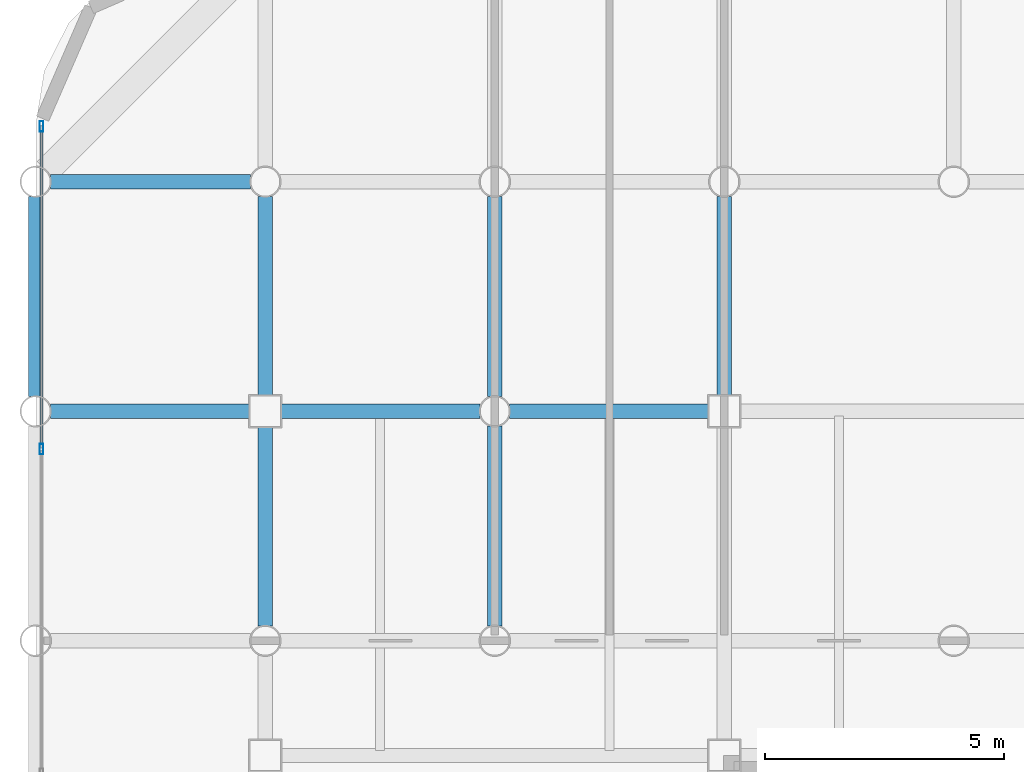
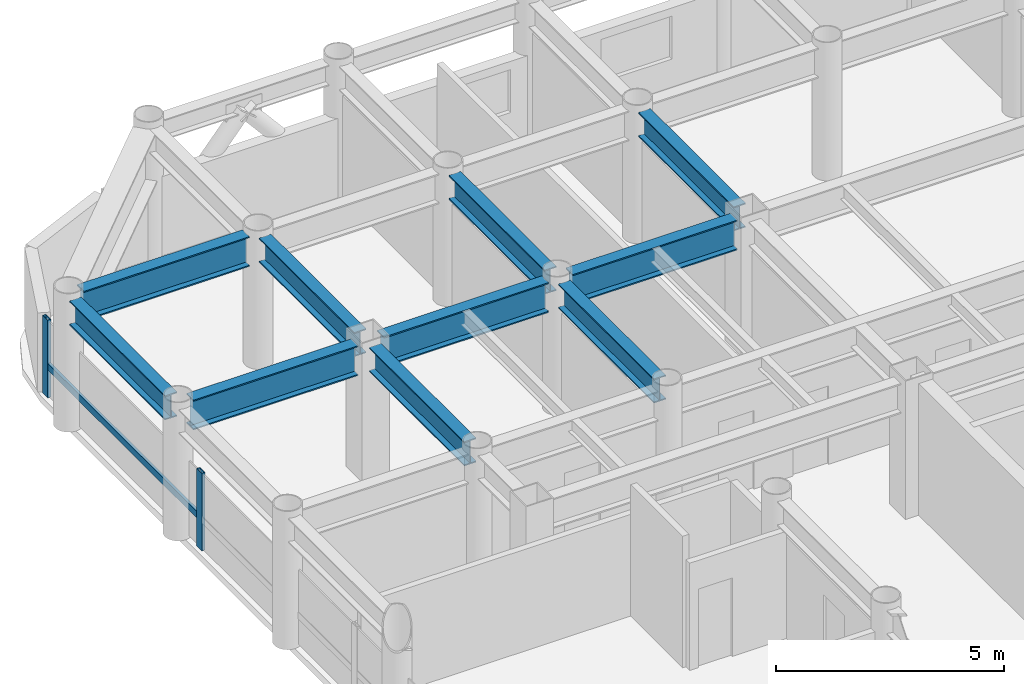
# One storey, part 10 of 22: 10 beams, 3 members, 1 element without a shape of its own.
"""IFC4 building model written with IfcOpenShell, lengths in metres."""

from ifc_helpers import new_model, si_unit, direction, frame, origin, origin_2d, place, context, subcontext, project, spatial, hollow_rectangle, i_section, extrude, material, layer, layer_set, material_profile, profile_set, type_object, element, aggregate, save


model = new_model("IFC4")

# Units and contexts
model_context = context("Model", 3, precision=1e-05, world=origin(), true_north=direction((0.0, 1.0)))
body_context = subcontext(model_context, "Body", "Model", "MODEL_VIEW")
ifc_project = project(units=[si_unit("LENGTHUNIT", "METRE"), si_unit("AREAUNIT", "SQUARE_METRE"), si_unit("VOLUMEUNIT", "CUBIC_METRE"), si_unit("PLANEANGLEUNIT", "RADIAN"), si_unit("MASSUNIT", "GRAM", prefix="KILO")], contexts=[model_context])

# Site, building, storey
site_placement = place(None, origin())
site = spatial("IfcSite", under=ifc_project, at=site_placement, CompositionType="ELEMENT")
building_placement = place(site_placement, origin())
building = spatial("IfcBuilding", under=site, at=building_placement, Name="Kallvorn Hotel Tower", CompositionType="ELEMENT")
storey_placement = place(building_placement, frame((0.0, 0.0, 102.60009765625)))
storey = spatial("IfcBuildingStorey", under=building, at=storey_placement, Name="L24", CompositionType="ELEMENT", Elevation=102.60009765625)

# Beams
ifc_material_1 = material(Name="Structural steel S355JR", Category="steel")
ifc_material_profile_1 = material_profile(ifc_material_1, i_section(OverallWidth=0.300048828125, OverallDepth=0.64990234375, WebThickness=0.01611328125, FlangeThickness=0.031005859375, at=origin_2d()), Name="HE 650 B")
ifc_profile_set_1 = profile_set([ifc_material_profile_1], Name="Structural steel S355JR")
beam_type_1 = type_object("IfcBeamType", Name="BM_HE650B", PredefinedType="BEAM", material=ifc_profile_set_1)
beam_1_placement = place(storey_placement, frame((-28.800048828125, 14.705078125, 3.19482421875), z_axis=(0.0, 1.0, 0.0), x_axis=(-1.0, 0.0, 0.0)))
element("IfcBeam", 1, at=beam_1_placement, inside=storey, type_object=beam_type_1, Name="L25 Primary Y-Girder 80", PredefinedType="BEAM", context=body_context, shape_type="SweptSolid", body=[
    extrude(i_section(OverallWidth=0.300048828125, OverallDepth=0.64990234375, WebThickness=0.01611328125, FlangeThickness=0.031005859375, at=origin_2d()), origin(), (0.0, 0.0, 1.0), 4.18994140625),
])
for number, where, z_axis, x_axis, name in (
    (2, (-24.0, 9.905029296875, 3.19482421875), (0.0, 1.0, 0.0), (-1.0, 0.0, 0.0), "L25 Primary Y-Girder 85"),
    (3, (-24.0, 14.72509765625, 3.19482421875), (0.0, 1.0, 0.0), (-1.0, 0.0, 0.0), "L25 Primary Y-Girder 86"),
):
    element("IfcBeam", number, at=place(storey_placement, frame(where, z_axis=z_axis, x_axis=x_axis)), inside=storey, type_object=beam_type_1, Name=name, PredefinedType="BEAM", context=body_context, shape_type="SweptSolid", body=[
        extrude(i_section(OverallWidth=0.300048828125, OverallDepth=0.64990234375, WebThickness=0.01611328125, FlangeThickness=0.031005859375, at=origin_2d()), origin(), (0.0, 0.0, 1.0), 4.169921875),
    ])
for number, where, z_axis, x_axis, name in (
    (4, (-19.199951171875, 9.905029296875, 3.19482421875), (0.0, 1.0, 0.0), (-1.0, 0.0, 0.0), "L25 Primary Y-Girder 94"),
    (5, (-19.199951171875, 14.705078125, 3.19482421875), (0.0, 1.0, 0.0), (-1.0, 0.0, 0.0), "L25 Primary Y-Girder 95"),
):
    element("IfcBeam", number, at=place(storey_placement, frame(where, z_axis=z_axis, x_axis=x_axis)), inside=storey, type_object=beam_type_1, Name=name, PredefinedType="BEAM", context=body_context, shape_type="SweptSolid", body=[
        extrude(i_section(OverallWidth=0.300048828125, OverallDepth=0.64990234375, WebThickness=0.01611328125, FlangeThickness=0.031005859375, at=origin_2d()), origin(), (0.0, 0.0, 1.0), 4.18994140625),
    ])
beam_2_placement = place(storey_placement, frame((-14.39990234375, 14.72509765625, 3.19482421875), z_axis=(0.0, 1.0, 0.0), x_axis=(-1.0, 0.0, 0.0)))
element("IfcBeam", 6, at=beam_2_placement, inside=storey, type_object=beam_type_1, Name="L25 Primary Y-Girder 100", PredefinedType="BEAM", context=body_context, shape_type="SweptSolid", body=[
    extrude(i_section(OverallWidth=0.300048828125, OverallDepth=0.64990234375, WebThickness=0.01611328125, FlangeThickness=0.031005859375, at=origin_2d()), origin(), (0.0, 0.0, 1.0), 4.169921875),
])
ifc_material_2 = material(Name="Structural steel S355JR", Category="steel")
ifc_material_profile_2 = material_profile(ifc_material_2, i_section(OverallWidth=0.300048828125, OverallDepth=0.800048828125, WebThickness=0.017578125, FlangeThickness=0.032958984375, at=origin_2d()), Name="HE 800 B")
ifc_profile_set_2 = profile_set([ifc_material_profile_2], Name="Structural steel S355JR")
beam_type_2 = type_object("IfcBeamType", Name="BM_HE800B", PredefinedType="BEAM", material=ifc_profile_set_2)
for number, where, z_axis, x_axis, name in (
    (7, (-28.4951171875, 14.39990234375, 3.119873046875), (1.0, 0.0, 0.0), (0.0, 1.0, 0.0), "L25 Primary X-Girder 50"),
    (8, (-23.675048828125, 14.39990234375, 3.119873046875), (1.0, 0.0, 0.0), (0.0, 1.0, 0.0), "L25 Primary X-Girder 51"),
):
    element("IfcBeam", number, at=place(storey_placement, frame(where, z_axis=z_axis, x_axis=x_axis)), inside=storey, type_object=beam_type_2, Name=name, PredefinedType="BEAM", context=body_context, shape_type="SweptSolid", body=[
        extrude(i_section(OverallWidth=0.300048828125, OverallDepth=0.800048828125, WebThickness=0.017578125, FlangeThickness=0.032958984375, at=origin_2d()), origin(), (0.0, 0.0, 1.0), 4.170166015625),
    ])
beam_3_placement = place(storey_placement, frame((-18.89501953125, 14.39990234375, 3.119873046875), z_axis=(1.0, 0.0, 0.0), x_axis=(0.0, 1.0, 0.0)))
element("IfcBeam", 9, at=beam_3_placement, inside=storey, type_object=beam_type_2, Name="L25 Primary X-Girder 52", PredefinedType="BEAM", context=body_context, shape_type="SweptSolid", body=[
    extrude(i_section(OverallWidth=0.300048828125, OverallDepth=0.800048828125, WebThickness=0.017578125, FlangeThickness=0.032958984375, at=origin_2d()), origin(), (0.0, 0.0, 1.0), 4.169921875),
])
beam_4_placement = place(storey_placement, frame((-28.4951171875, 19.199951171875, 3.119873046875), z_axis=(1.0, 0.0, 0.0), x_axis=(0.0, 1.0, 0.0)))
element("IfcBeam", 10, at=beam_4_placement, inside=storey, type_object=beam_type_2, Name="L25 Primary X-Girder 60", PredefinedType="BEAM", context=body_context, shape_type="SweptSolid", body=[
    extrude(i_section(OverallWidth=0.300048828125, OverallDepth=0.800048828125, WebThickness=0.017578125, FlangeThickness=0.032958984375, at=origin_2d()), origin(), (0.0, 0.0, 1.0), 4.190185546875),
])

# Curtain wall, members
ifc_material_3 = material(Name="Thermally broken black-anodised aluminium AA 6063-T6", Category="aluminium")
ifc_layer = layer(ifc_material_3, 0.199951171875)
ifc_layer_set = layer_set([ifc_layer], Name="CW_SYS_3_HOTEL_LOW")
curtain_wall_type = type_object("IfcCurtainWallType", Name="CW_SYS_3_HOTEL_LOW", PredefinedType="USERDEFINED", material=ifc_layer_set)
curtain_wall_placement = place(storey_placement, origin())
curtain_wall = element("IfcCurtainWall", 11, at=curtain_wall_placement, inside=storey, type_object=curtain_wall_type, Name="L24 Dark-Glass Curtain Wall CW-L24-WN", ObjectType="UNITISED CURTAIN WALL", PredefinedType="USERDEFINED")
ifc_material_4 = material(Name="Thermally broken black-anodised aluminium AA 6063-T6", Category="aluminium")
ifc_material_profile_3 = material_profile(ifc_material_4, hollow_rectangle(XDim=0.080078125, YDim=0.219970703125, WallThickness=0.0048828125, at=origin_2d()), Name="MUL 220x80")
ifc_profile_set_3 = profile_set([ifc_material_profile_3], Name="Thermally broken black-anodised aluminium AA 6063-T6")
member_type_1 = type_object("IfcMemberType", Name="CW_MULLION_220x80", PredefinedType="MULLION", material=ifc_profile_set_3)
member_1_placement = place(storey_placement, frame((-28.679931640625, 13.606689453125, 0.02001953125), z_axis=(0.0, 0.0, 1.0), x_axis=(1.0, 0.0, 0.0)))
member_1 = element("IfcMember", 12, at=member_1_placement, type_object=member_type_1, Name="CW-L24-WN Mullion 02", PredefinedType="MULLION", context=body_context, shape_type="SweptSolid", body=[
    extrude(hollow_rectangle(XDim=0.080078125, YDim=0.219970703125, WallThickness=0.0048828125, at=origin_2d()), origin(), (0.0, 0.0, 1.0), 2.079833984375),
])
member_2_placement = place(storey_placement, frame((-28.679931640625, 20.360107421875, 0.02001953125), z_axis=(0.0, 0.0, 1.0), x_axis=(1.0, 0.0, 0.0)))
member_2 = element("IfcMember", 13, at=member_2_placement, type_object=member_type_1, Name="CW-L24-WN Mullion 03", PredefinedType="MULLION", context=body_context, shape_type="SweptSolid", body=[
    extrude(hollow_rectangle(XDim=0.080078125, YDim=0.219970703125, WallThickness=0.0048828125, at=origin_2d()), origin(), (0.0, 0.0, 1.0), 2.079833984375),
])
ifc_material_5 = material(Name="Thermally broken black-anodised aluminium AA 6063-T6", Category="aluminium")
ifc_material_profile_4 = material_profile(ifc_material_5, hollow_rectangle(XDim=0.070068359375, YDim=0.179931640625, WallThickness=0.00390625, at=origin_2d()), Name="TRN 180x70")
ifc_profile_set_4 = profile_set([ifc_material_profile_4], Name="Thermally broken black-anodised aluminium AA 6063-T6")
member_type_2 = type_object("IfcMemberType", Name="CW_TRANSOM_180x70", PredefinedType="USERDEFINED", material=ifc_profile_set_4)
member_3_placement = place(storey_placement, frame((-28.679931640625, 13.646728515625, 0.849853515625), z_axis=(0.0, 1.0, 0.0), x_axis=(-1.0, 0.0, 0.0)))
member_3 = element("IfcMember", 14, at=member_3_placement, type_object=member_type_2, Name="CW-L24-WN Transom 02M", ObjectType="TRANSOM", PredefinedType="USERDEFINED", context=body_context, shape_type="SweptSolid", body=[
    extrude(hollow_rectangle(XDim=0.070068359375, YDim=0.179931640625, WallThickness=0.00390625, at=origin_2d()), origin(), (0.0, 0.0, 1.0), 6.71337890625),
])
aggregate(curtain_wall, [member_1, member_2, member_3])

save(model, "model.ifc")
